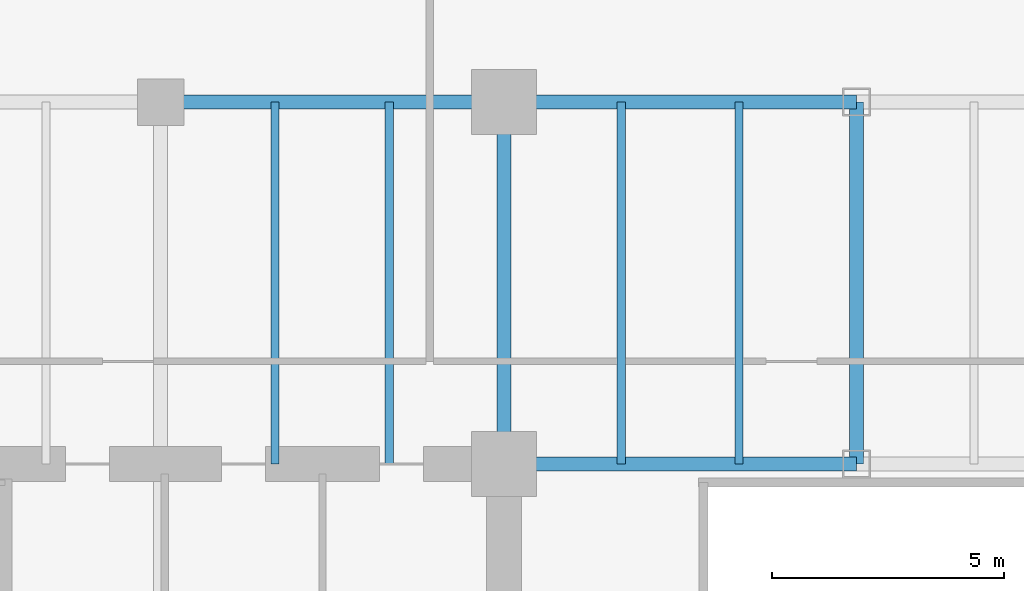
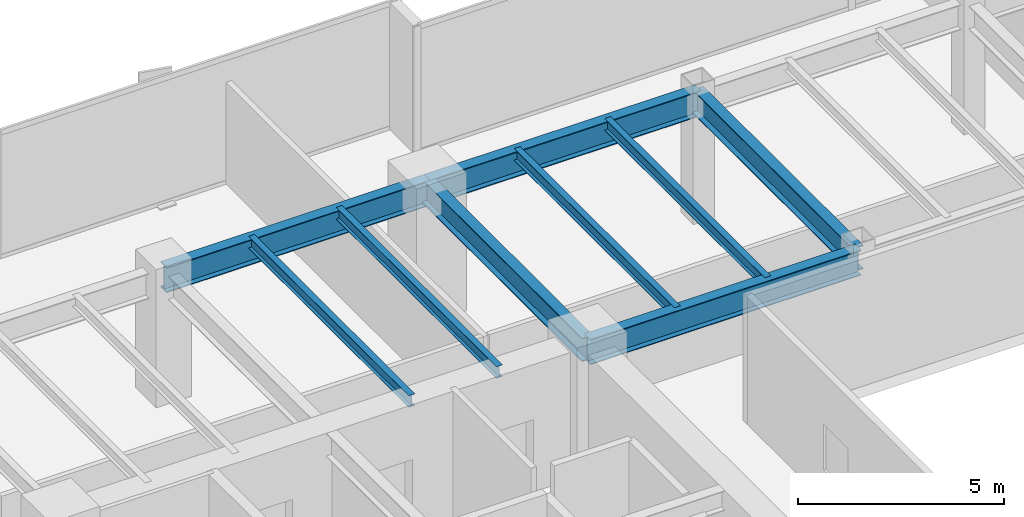
# One storey, part 13 of 36: 9 beams.
"""IFC4 building model written with IfcOpenShell, lengths in metres."""

from ifc_helpers import new_model, si_unit, direction, frame, origin, origin_2d, place, context, subcontext, project, spatial, i_section, extrude, source, transform, mapped, material, material_profile, profile_set, type_object, type_shapes, element, save


model = new_model("IFC4")

# Units and contexts
model_context = context("Model", 3, precision=1e-05, world=origin(), true_north=direction((0.0, 1.0)))
body_context = subcontext(model_context, "Body", "Model", "MODEL_VIEW")
ifc_project = project(units=[si_unit("LENGTHUNIT", "METRE"), si_unit("AREAUNIT", "SQUARE_METRE"), si_unit("VOLUMEUNIT", "CUBIC_METRE"), si_unit("PLANEANGLEUNIT", "RADIAN"), si_unit("MASSUNIT", "GRAM", prefix="KILO")], contexts=[model_context])

# Site, building, storey
site_placement = place(None, origin())
site = spatial("IfcSite", under=ifc_project, at=site_placement, CompositionType="ELEMENT")
building_placement = place(site_placement, origin())
building = spatial("IfcBuilding", under=site, at=building_placement, Name="Haelvirn Gate Laboratories", CompositionType="ELEMENT")
storey_placement = place(building_placement, frame((0.0, 0.0, 29.300048828125)))
storey = spatial("IfcBuildingStorey", under=building, at=storey_placement, Name="L07", CompositionType="ELEMENT", Elevation=29.300048828125)

# Beams
ifc_material = material(Name="Steel SM355", Category="steel")
ifc_material_profile_1 = material_profile(ifc_material, i_section(OverallWidth=0.300048828125, OverallDepth=0.699951171875, WebThickness=0.012939453125, FlangeThickness=0.02392578125, at=origin_2d()), Name="H-700x300x13x24")
ifc_profile_set_1 = profile_set([ifc_material_profile_1], Name="Steel SM355")
beam_type_1 = type_object("IfcBeamType", Name="BM-G-700", PredefinedType="BEAM", material=ifc_profile_set_1)
shared_shape_1 = source(origin(), body_context, "Body", "SweptSolid", [
    extrude(i_section(OverallWidth=0.300048828125, OverallDepth=0.699951171875, WebThickness=0.012939453125, FlangeThickness=0.02392578125, at=origin_2d()), origin(), (0.0, 0.0, 1.0), 7.800048828125),
])
type_shapes(beam_type_1, [shared_shape_1])
for number, where, z_axis, x_axis, name in (
    (1, (22.199951171875, 33.800048828125, 3.429931640625), (0.0, 1.0, 0.0), (-1.0, 0.0, 0.0), "L07 Frame Girder X22.2 (33.8-41.6)"),
    (2, (29.800048828125, 33.800048828125, 3.429931640625), (0.0, 1.0, 0.0), (-1.0, 0.0, 0.0), "L07 Frame Girder X29.8 (33.8-41.6)"),
):
    element("IfcBeam", number, at=place(storey_placement, frame(where, z_axis=z_axis, x_axis=x_axis)), inside=storey, type_object=beam_type_1, Name=name, PredefinedType="BEAM", context=body_context, shape_type="MappedRepresentation", body=[
        mapped(shared_shape_1, transform((0.0, 0.0, 0.0), scale=1.0)),
    ])
ifc_material_profile_2 = material_profile(ifc_material, i_section(OverallWidth=0.300048828125, OverallDepth=0.75, WebThickness=0.013916015625, FlangeThickness=0.02392578125, at=origin_2d()), Name="H-750x300x14x24")
ifc_profile_set_2 = profile_set([ifc_material_profile_2], Name="Steel SM355")
beam_type_2 = type_object("IfcBeamType", Name="BM-G-750", PredefinedType="BEAM", material=ifc_profile_set_2)
shared_shape_2 = source(origin(), body_context, "Body", "SweptSolid", [
    extrude(i_section(OverallWidth=0.300048828125, OverallDepth=0.75, WebThickness=0.013916015625, FlangeThickness=0.02392578125, at=origin_2d()), origin(), (0.0, 0.0, 1.0), 7.39990234375),
])
beam_placement = place(storey_placement, frame((14.800048828125, 41.60009765625, 3.405029296875), z_axis=(1.0, 0.0, 0.0), x_axis=(0.0, 1.0, 0.0)))
element("IfcBeam", 3, at=beam_placement, inside=storey, type_object=beam_type_2, Name="L07 Primary Girder Y41.6 (14.8-22.2)", PredefinedType="BEAM", context=body_context, shape_type="MappedRepresentation", body=[
    mapped(shared_shape_2, transform((0.0, 0.0, 0.0), scale=1.0)),
])
shared_shape_3 = source(origin(), body_context, "Body", "SweptSolid", [
    extrude(i_section(OverallWidth=0.300048828125, OverallDepth=0.75, WebThickness=0.013916015625, FlangeThickness=0.02392578125, at=origin_2d()), origin(), (0.0, 0.0, 1.0), 7.60009765625),
])
type_shapes(beam_type_2, [shared_shape_2, shared_shape_3])
for number, where, z_axis, x_axis, name in (
    (4, (22.199951171875, 33.800048828125, 3.405029296875), (1.0, 0.0, 0.0), (0.0, 1.0, 0.0), "L07 Primary Girder Y33.8 (22.2-29.8)"),
    (5, (22.199951171875, 41.60009765625, 3.405029296875), (1.0, 0.0, 0.0), (0.0, 1.0, 0.0), "L07 Primary Girder Y41.6 (22.2-29.8)"),
):
    element("IfcBeam", number, at=place(storey_placement, frame(where, z_axis=z_axis, x_axis=x_axis)), inside=storey, type_object=beam_type_2, Name=name, PredefinedType="BEAM", context=body_context, shape_type="MappedRepresentation", body=[
        mapped(shared_shape_3, transform((0.0, 0.0, 0.0), scale=1.0)),
    ])
ifc_material_profile_3 = material_profile(ifc_material, i_section(OverallWidth=0.175048828125, OverallDepth=0.35009765625, WebThickness=0.007080078125, FlangeThickness=0.010986328125, at=origin_2d()), Name="H-350x175x7x11")
ifc_profile_set_3 = profile_set([ifc_material_profile_3], Name="Steel SM355")
beam_type_3 = type_object("IfcBeamType", Name="BM-J-350", PredefinedType="JOIST", material=ifc_profile_set_3)
shared_shape_4 = source(origin(), body_context, "Body", "SweptSolid", [
    extrude(i_section(OverallWidth=0.175048828125, OverallDepth=0.35009765625, WebThickness=0.007080078125, FlangeThickness=0.010986328125, at=origin_2d()), origin(), (0.0, 0.0, 1.0), 7.800048828125),
])
type_shapes(beam_type_3, [shared_shape_4])
for number, where, z_axis, x_axis, name in (
    (6, (17.27001953125, 33.800048828125, 3.60498046875), (0.0, 1.0, 0.0), (-1.0, 0.0, 0.0), "L07 Composite Lab Joist North X17.27"),
    (7, (19.72998046875, 33.800048828125, 3.60498046875), (0.0, 1.0, 0.0), (-1.0, 0.0, 0.0), "L07 Composite Lab Joist North X19.73"),
    (8, (24.72998046875, 33.800048828125, 3.60498046875), (0.0, 1.0, 0.0), (-1.0, 0.0, 0.0), "L07 Composite Lab Joist North X24.73"),
    (9, (27.27001953125, 33.800048828125, 3.60498046875), (0.0, 1.0, 0.0), (-1.0, 0.0, 0.0), "L07 Composite Lab Joist North X27.27"),
):
    element("IfcBeam", number, at=place(storey_placement, frame(where, z_axis=z_axis, x_axis=x_axis)), inside=storey, type_object=beam_type_3, Name=name, PredefinedType="JOIST", context=body_context, shape_type="MappedRepresentation", body=[
        mapped(shared_shape_4, transform((0.0, 0.0, 0.0), scale=1.0)),
    ])

save(model, "model.ifc")
